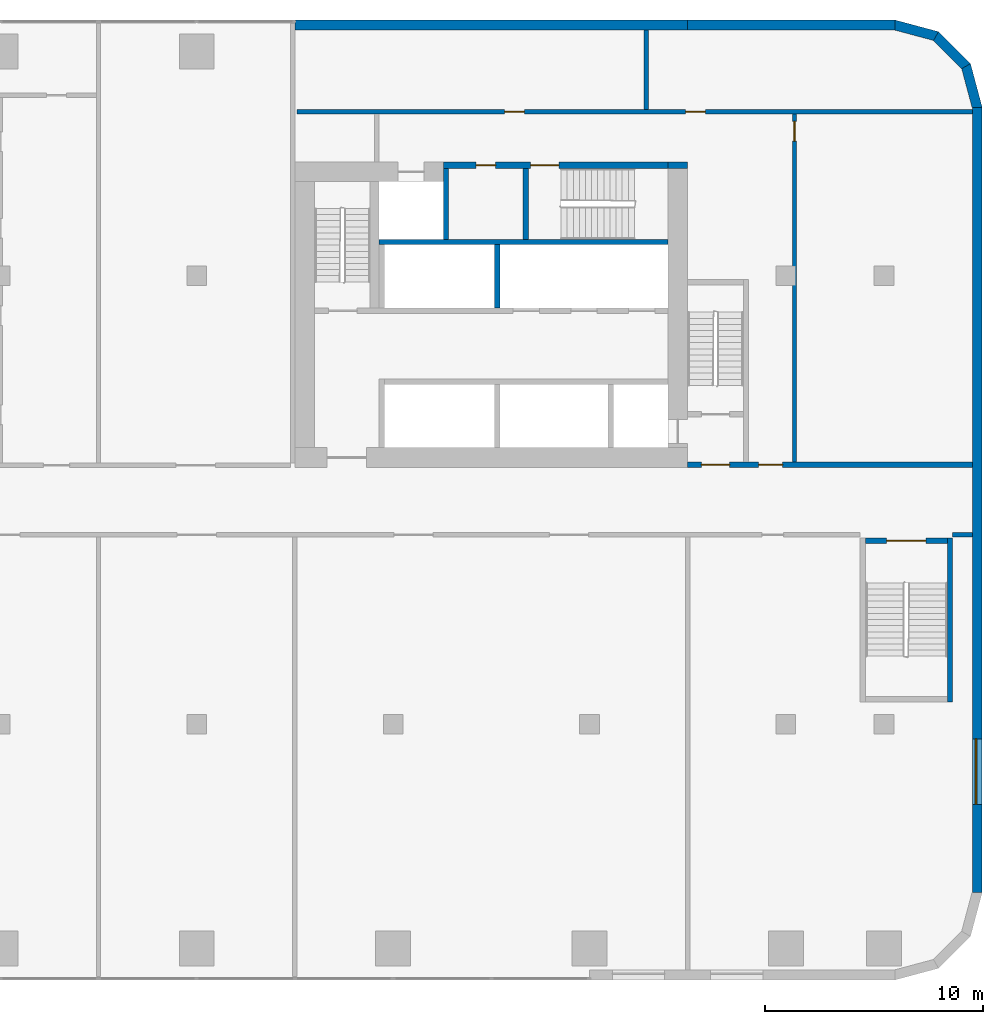
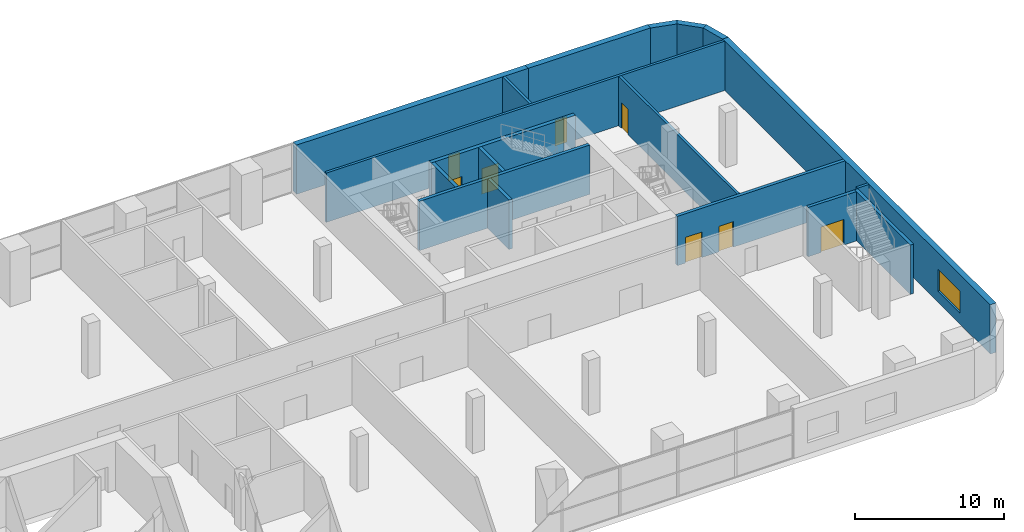
# One storey, part 11 of 19: 19 walls, 8 doors, 1 window, 9 openings.
"""IFC4 building model written with IfcOpenShell, lengths in metres."""

from ifc_helpers import new_model, si_unit, direction, frame, frame_2d, origin, place, context, subcontext, project, spatial, polyline, rectangle, outline, extrude, material, layer, layer_set, type_object, element, fill, save


model = new_model("IFC4")

# Units and contexts
model_context = context("Model", 3, precision=1e-05, world=origin(), true_north=direction((0.0, 1.0)))
body_context = subcontext(model_context, "Body", "Model", "MODEL_VIEW")
ifc_project = project(units=[si_unit("LENGTHUNIT", "METRE"), si_unit("AREAUNIT", "SQUARE_METRE"), si_unit("VOLUMEUNIT", "CUBIC_METRE"), si_unit("PLANEANGLEUNIT", "RADIAN"), si_unit("MASSUNIT", "GRAM", prefix="KILO")], contexts=[model_context])

# Site, building, storey
site_placement = place(None, origin())
site = spatial("IfcSite", under=ifc_project, at=site_placement, CompositionType="ELEMENT")
building_placement = place(site_placement, origin())
building = spatial("IfcBuilding", under=site, at=building_placement, Name="Kajstack Hotel Tower", CompositionType="ELEMENT")
storey_placement = place(building_placement, frame((0.0, 0.0, 33.5)))
storey = spatial("IfcBuildingStorey", under=building, at=storey_placement, Name="L05", CompositionType="ELEMENT", Elevation=33.5)

# Walls
ifc_material_1 = material(Name="Concrete C60/75", Category="concrete")
ifc_layer_1 = layer(ifc_material_1, 0.89990234375)
ifc_layer_set_1 = layer_set([ifc_layer_1], Name="Core wall 900")
wall_type_1 = type_object("IfcWallType", Name="Core wall 900", PredefinedType="SHEAR", material=ifc_layer_set_1)
wall_1_placement = place(storey_placement, frame((30.60009765625, 15.35009765625, 0.0), z_axis=(0.0, 0.0, 1.0), x_axis=(1.0, 0.0, 0.0)))
element("IfcWall", 1, at=wall_1_placement, inside=storey, type_object=wall_type_1, Name="Core wall E RSW", PredefinedType="SHEAR", context=body_context, shape_type="SweptSolid", body=[
    extrude(rectangle(XDim=0.89990234375, YDim=0.300048828125, at=frame_2d((0.449951171875, 0.0))), origin(), (0.0, 0.0, 1.0), 4.050048828125),
])
ifc_material_2 = material(Name="Concrete C40/50", Category="concrete")
ifc_layer_2 = layer(ifc_material_2, 0.449951171875)
ifc_layer_set_2 = layer_set([ifc_layer_2], Name="EW-CORE")
wall_type_2 = type_object("IfcWallType", Name="EW-CORE", PredefinedType="SOLIDWALL", material=ifc_layer_set_2)
wall_2_placement = place(storey_placement, frame((31.5, 21.77490234375, 0.0), z_axis=(0.0, 0.0, 1.0), x_axis=(-1.0, 0.0, 0.0)))
element("IfcWall", 2, at=wall_2_placement, inside=storey, type_object=wall_type_2, Name="E-wall-L05-11-01", PredefinedType="SOLIDWALL", context=body_context, shape_type="SweptSolid", body=[
    extrude(rectangle(XDim=18.0, YDim=0.449951171875, at=frame_2d((9.0, 0.0))), origin(), (0.0, 0.0, 1.0), 4.050048828125),
])

# Wall, opening, window
ifc_material_3 = material(Name="Terracotta-faced brick masonry", Category="masonry")
ifc_layer_3 = layer(ifc_material_3, 0.449951171875)
ifc_layer_set_3 = layer_set([ifc_layer_3], Name="EW-TERRA")
wall_type_3 = type_object("IfcWallType", Name="EW-TERRA", PredefinedType="SOLIDWALL", material=ifc_layer_set_3)
wall_3_placement = place(storey_placement, frame((44.77490234375, -18.0, 0.0), z_axis=(0.0, 0.0, 1.0), x_axis=(0.0, 1.0, 0.0)))
wall_3 = element("IfcWall", 3, at=wall_3_placement, inside=storey, type_object=wall_type_3, Name="E-wall-L05-07-00", PredefinedType="SOLIDWALL", context=body_context, shape_type="SweptSolid", body=[
    extrude(rectangle(XDim=36.0, YDim=0.449951171875, at=frame_2d((18.0, 0.0))), origin(), (0.0, 0.0, 1.0), 4.050048828125),
])
opening_1_placement = place(wall_3_placement, frame((4.050048828125, 0.0, 0.89990234375)))
opening_1 = element("IfcOpeningElement", 4, at=opening_1_placement, cuts=wall_3, Name="Opening W5", PredefinedType="OPENING", context=body_context, shape_type="SweptSolid", body=[
    extrude(rectangle(XDim=3.0, YDim=1.800048828125, at=frame_2d((1.5, 0.89990234375))), frame((0.0, 0.23486328125, 0.0), z_axis=(0.0, -1.0, 0.0), x_axis=(1.0, 0.0, 0.0)), (0.0, 0.0, 1.0), 0.469970703125),
])
ifc_material_4 = material(Name="Timber-aluminium window, triple glazed", Category="wood")
window_type = type_object("IfcWindowType", Name="WP2", PartitioningType="SINGLE_PANEL", PredefinedType="WINDOW", material=ifc_material_4)
window_placement = place(opening_1_placement, origin())
window = element("IfcWindow", 5, at=window_placement, inside=storey, type_object=window_type, Name="Window W5 L05-07", OverallHeight=1.800048828125, OverallWidth=3.0, PartitioningType="SINGLE_PANEL", PredefinedType="WINDOW", context=body_context, shape_type="SweptSolid", body=[
    extrude(rectangle(XDim=3.0, YDim=1.800048828125, at=frame_2d((1.5, 0.89990234375))), frame((0.0, 0.090087890625, 0.0), z_axis=(0.0, -1.0, 0.0), x_axis=(1.0, 0.0, 0.0)), (0.0, 0.0, 1.0), 0.06005859375),
])
fill(opening_1, window)

# Walls
wall_4_placement = place(storey_placement, frame((44.78271484375, 17.941650390625, 0.0), z_axis=(0.0, 0.0, 1.0), x_axis=(-0.25881466832, 0.965926999034, 0.0)))
element("IfcWall", 6, at=wall_4_placement, inside=storey, type_object=wall_type_3, Name="E-wall-L05-08-00", PredefinedType="SOLIDWALL", context=body_context, shape_type="SweptSolid", body=[
    extrude(outline(polyline([(0.000244140625, -0.22509765625), (2.070556640625, -0.224853515625), (1.9501953125, 0.22509765625), (0.12060546875, 0.22509765625), (0.000244140625, -0.22509765625)])), origin(), (0.0, 0.0, 1.0), 4.050048828125),
])
wall_5_placement = place(storey_placement, frame((44.304931640625, 19.8408203125, 0.0), z_axis=(0.0, 0.0, 1.0), x_axis=(-0.707106781187, 0.707106781187, 0.0)))
element("IfcWall", 7, at=wall_5_placement, inside=storey, type_object=wall_type_3, Name="E-wall-L05-09-00", PredefinedType="SOLIDWALL", context=body_context, shape_type="SweptSolid", body=[
    extrude(outline(polyline([(0.0, -0.22509765625), (2.070556640625, -0.22509765625), (1.949951171875, 0.224853515625), (0.12060546875, 0.224853515625), (0.0, -0.22509765625)])), origin(), (0.0, 0.0, 1.0), 4.050048828125),
])
wall_6_placement = place(storey_placement, frame((42.941650390625, 21.246826171875, 0.0), z_axis=(0.0, 0.0, 1.0), x_axis=(-0.965926999034, 0.25881466832, 0.0)))
element("IfcWall", 8, at=wall_6_placement, inside=storey, type_object=wall_type_3, Name="E-wall-L05-10-00", PredefinedType="SOLIDWALL", context=body_context, shape_type="SweptSolid", body=[
    extrude(outline(polyline([(-0.000244140625, -0.224853515625), (2.0703125, -0.22509765625), (1.949951171875, 0.22509765625), (0.120361328125, 0.22509765625), (-0.000244140625, -0.224853515625)])), origin(), (0.0, 0.0, 1.0), 4.050048828125),
])
wall_7_placement = place(storey_placement, frame((41.0, 21.77490234375, 0.0), z_axis=(0.0, 0.0, 1.0), x_axis=(-1.0, 0.0, 0.0)))
element("IfcWall", 9, at=wall_7_placement, inside=storey, type_object=wall_type_3, Name="E-wall-L05-11-00", PredefinedType="SOLIDWALL", context=body_context, shape_type="SweptSolid", body=[
    extrude(rectangle(XDim=9.5, YDim=0.449951171875, at=frame_2d((4.75, 0.0))), origin(), (0.0, 0.0, 1.0), 4.050048828125),
])
ifc_material_5 = material(Name="Concrete C50/60", Category="concrete")
ifc_layer_4 = layer(ifc_material_5, 0.300048828125)
ifc_layer_set_4 = layer_set([ifc_layer_4], Name="Hoistway divider wall 300")
wall_type_4 = type_object("IfcWallType", Name="Hoistway divider wall 300", PredefinedType="SHEAR", material=ifc_layer_set_4)
wall_8_placement = place(storey_placement, frame((22.77490234375, 8.800048828125, 0.0), z_axis=(0.0, 0.0, 1.0), x_axis=(0.0, 1.0, 0.0)))
element("IfcWall", 10, at=wall_8_placement, inside=storey, type_object=wall_type_4, Name="Core wall E BP2", PredefinedType="SHEAR", context=body_context, shape_type="SweptSolid", body=[
    extrude(rectangle(XDim=2.89990234375, YDim=0.25, at=frame_2d((1.449951171875, 0.0))), origin(), (0.0, 0.0, 1.0), 4.050048828125),
])
ifc_material_6 = material(Name="Gypsum board on steel studs, mineral wool", Category="steel")
ifc_layer_5 = layer(ifc_material_6, 0.199951171875)
ifc_layer_set_5 = layer_set([ifc_layer_5], Name="Public partition 200")
wall_type_5 = type_object("IfcWallType", Name="Public partition 200", PredefinedType="PARTITIONING", material=ifc_layer_set_5)
wall_9_placement = place(storey_placement, frame((43.64990234375, -1.60009765625, 0.0), z_axis=(0.0, 0.0, 1.0), x_axis=(1.0, 0.0, 0.0)))
element("IfcWall", 11, at=wall_9_placement, inside=storey, type_object=wall_type_5, Name="Partition SFWW", PredefinedType="PARTITIONING", context=body_context, shape_type="SweptSolid", body=[
    extrude(rectangle(XDim=0.900146484375, YDim=0.199951171875, at=frame_2d((0.4501953125, 0.0))), origin(), (0.0, 0.0, 1.0), 4.050048828125),
])

# Wall, openings, doors
ifc_layer_6 = layer(ifc_material_6, 0.199951171875)
ifc_layer_set_6 = layer_set([ifc_layer_6], Name="Service partition 200")
wall_type_6 = type_object("IfcWallType", Name="Service partition 200", PredefinedType="PARTITIONING", material=ifc_layer_set_6)
wall_10_placement = place(storey_placement, frame((31.5, 1.625, 0.0), z_axis=(0.0, 0.0, 1.0), x_axis=(1.0, 0.0, 0.0)))
wall_10 = element("IfcWall", 12, at=wall_10_placement, inside=storey, type_object=wall_type_6, Name="Partition E SN", PredefinedType="PARTITIONING", context=body_context, shape_type="SweptSolid", body=[
    extrude(rectangle(XDim=13.050048828125, YDim=0.25, at=frame_2d((6.52490234375, 0.0))), origin(), (0.0, 0.0, 1.0), 4.050048828125),
])
opening_2_placement = place(wall_10_placement, frame((0.625, 0.0, 0.0)))
opening_2 = element("IfcOpeningElement", 13, at=opening_2_placement, cuts=wall_10, Name="Opening 05E07", PredefinedType="OPENING", context=body_context, shape_type="SweptSolid", body=[
    extrude(rectangle(XDim=1.300048828125, YDim=2.10009765625, at=frame_2d((0.64990234375, 1.050048828125))), frame((0.0, 0.135009765625, 0.0), z_axis=(0.0, -1.0, 0.0), x_axis=(1.0, 0.0, 0.0)), (0.0, 0.0, 1.0), 0.27001953125),
])
opening_3_placement = place(wall_10_placement, frame((3.25, 0.0, 0.0)))
opening_3 = element("IfcOpeningElement", 14, at=opening_3_placement, cuts=wall_10, Name="Opening 05E09", PredefinedType="OPENING", context=body_context, shape_type="SweptSolid", body=[
    extrude(rectangle(XDim=1.10009765625, YDim=2.10009765625, at=frame_2d((0.550048828125, 1.050048828125))), frame((0.0, 0.135009765625, 0.0), z_axis=(0.0, -1.0, 0.0), x_axis=(1.0, 0.0, 0.0)), (0.0, 0.0, 1.0), 0.27001953125),
])
ifc_material_7 = material(Name="Steel leaf, fire-rated", Category="steel")
door_type_1 = type_object("IfcDoorType", Name="Fire lobby door 1300", OperationType="SINGLE_SWING_LEFT", PredefinedType="DOOR", material=ifc_material_7)
door_1_placement = place(opening_2_placement, origin())
door_1 = element("IfcDoor", 15, at=door_1_placement, inside=storey, type_object=door_type_1, Name="Door 05E07", OperationType="SINGLE_SWING_LEFT", OverallHeight=2.10009765625, OverallWidth=1.300048828125, PredefinedType="DOOR", context=body_context, shape_type="SweptSolid", body=[
    extrude(rectangle(XDim=1.300048828125, YDim=2.10009765625, at=frame_2d((0.64990234375, 1.050048828125))), frame((0.0, 0.02490234375, 0.0), z_axis=(0.0, -1.0, 0.0), x_axis=(1.0, 0.0, 0.0)), (0.0, 0.0, 1.0), 0.050048828125),
])
fill(opening_2, door_1)
ifc_material_8 = material(Name="Timber leaf, fire-rated", Category="wood")
door_type_2 = type_object("IfcDoorType", Name="Service corridor door 1100", OperationType="SINGLE_SWING_LEFT", PredefinedType="DOOR", material=ifc_material_8)
door_2_placement = place(opening_3_placement, origin())
door_2 = element("IfcDoor", 16, at=door_2_placement, inside=storey, type_object=door_type_2, Name="Door 05E09", OperationType="SINGLE_SWING_LEFT", OverallHeight=2.10009765625, OverallWidth=1.10009765625, PredefinedType="DOOR", context=body_context, shape_type="SweptSolid", body=[
    extrude(rectangle(XDim=1.10009765625, YDim=2.10009765625, at=frame_2d((0.550048828125, 1.050048828125))), frame((0.0, 0.02490234375, 0.0), z_axis=(0.0, -1.0, 0.0), x_axis=(1.0, 0.0, 0.0)), (0.0, 0.0, 1.0), 0.050048828125),
])
fill(opening_3, door_2)

# Wall, opening, door
wall_11_placement = place(storey_placement, frame((36.39990234375, 1.75, 0.0), z_axis=(0.0, 0.0, 1.0), x_axis=(0.0, 1.0, 0.0)))
wall_11 = element("IfcWall", 17, at=wall_11_placement, inside=storey, type_object=wall_type_6, Name="Partition E WRE", PredefinedType="PARTITIONING", context=body_context, shape_type="SweptSolid", body=[
    extrude(rectangle(XDim=15.949951171875, YDim=0.199951171875, at=frame_2d((7.97509765625, 0.0))), origin(), (0.0, 0.0, 1.0), 4.050048828125),
])
opening_4_placement = place(wall_11_placement, frame((14.699951171875, 0.0, 0.0)))
opening_4 = element("IfcOpeningElement", 18, at=opening_4_placement, cuts=wall_11, Name="Opening 05E15", PredefinedType="OPENING", context=body_context, shape_type="SweptSolid", body=[
    extrude(rectangle(XDim=0.89990234375, YDim=2.10009765625, at=frame_2d((0.449951171875, 1.050048828125))), frame((0.0, 0.10986328125, 0.0), z_axis=(0.0, -1.0, 0.0), x_axis=(1.0, 0.0, 0.0)), (0.0, 0.0, 1.0), 0.219970703125),
])
door_type_3 = type_object("IfcDoorType", Name="Service door 900", OperationType="SINGLE_SWING_LEFT", PredefinedType="DOOR", material=ifc_material_8)
door_3_placement = place(opening_4_placement, origin())
door_3 = element("IfcDoor", 19, at=door_3_placement, inside=storey, type_object=door_type_3, Name="Door 05E15", OperationType="SINGLE_SWING_RIGHT", OverallHeight=2.10009765625, OverallWidth=0.89990234375, PredefinedType="DOOR", context=body_context, shape_type="SweptSolid", body=[
    extrude(rectangle(XDim=0.89990234375, YDim=2.10009765625, at=frame_2d((0.449951171875, 1.050048828125))), frame((0.0, 0.02490234375, 0.0), z_axis=(0.0, -1.0, 0.0), x_axis=(1.0, 0.0, 0.0)), (0.0, 0.0, 1.0), 0.050048828125),
])
fill(opening_4, door_3)

# Wall, openings, doors
wall_12_placement = place(storey_placement, frame((13.60009765625, 17.800048828125, 0.0), z_axis=(0.0, 0.0, 1.0), x_axis=(1.0, 0.0, 0.0)))
wall_12 = element("IfcWall", 20, at=wall_12_placement, inside=storey, type_object=wall_type_6, Name="Partition E SLN", PredefinedType="PARTITIONING", context=body_context, shape_type="SweptSolid", body=[
    extrude(rectangle(XDim=30.949951171875, YDim=0.199951171875, at=frame_2d((15.47509765625, 0.0))), origin(), (0.0, 0.0, 1.0), 4.050048828125),
])
opening_5_placement = place(wall_12_placement, frame((17.8125, 0.0, 0.0)))
opening_5 = element("IfcOpeningElement", 21, at=opening_5_placement, cuts=wall_12, Name="Opening 05E13", PredefinedType="OPENING", context=body_context, shape_type="SweptSolid", body=[
    extrude(rectangle(XDim=0.89990234375, YDim=2.10009765625, at=frame_2d((0.449951171875, 1.050048828125))), frame((0.0, 0.10986328125, 0.0), z_axis=(0.0, -1.0, 0.0), x_axis=(1.0, 0.0, 0.0)), (0.0, 0.0, 1.0), 0.219970703125),
])
opening_6_placement = place(wall_12_placement, frame((9.512451171875, 0.0, 0.0)))
opening_6 = element("IfcOpeningElement", 22, at=opening_6_placement, cuts=wall_12, Name="Opening 05E14", PredefinedType="OPENING", context=body_context, shape_type="SweptSolid", body=[
    extrude(rectangle(XDim=0.89990234375, YDim=2.10009765625, at=frame_2d((0.449951171875, 1.050048828125))), frame((0.0, 0.10986328125, 0.0), z_axis=(0.0, -1.0, 0.0), x_axis=(1.0, 0.0, 0.0)), (0.0, 0.0, 1.0), 0.219970703125),
])
door_4_placement = place(opening_5_placement, origin())
door_4 = element("IfcDoor", 23, at=door_4_placement, inside=storey, type_object=door_type_3, Name="Door 05E13", OperationType="SINGLE_SWING_LEFT", OverallHeight=2.10009765625, OverallWidth=0.89990234375, PredefinedType="DOOR", context=body_context, shape_type="SweptSolid", body=[
    extrude(rectangle(XDim=0.89990234375, YDim=2.10009765625, at=frame_2d((0.449951171875, 1.050048828125))), frame((0.0, 0.02490234375, 0.0), z_axis=(0.0, -1.0, 0.0), x_axis=(1.0, 0.0, 0.0)), (0.0, 0.0, 1.0), 0.050048828125),
])
fill(opening_5, door_4)
door_5_placement = place(opening_6_placement, origin())
door_5 = element("IfcDoor", 24, at=door_5_placement, inside=storey, type_object=door_type_3, Name="Door 05E14", OperationType="SINGLE_SWING_LEFT", OverallHeight=2.10009765625, OverallWidth=0.89990234375, PredefinedType="DOOR", context=body_context, shape_type="SweptSolid", body=[
    extrude(rectangle(XDim=0.89990234375, YDim=2.10009765625, at=frame_2d((0.449951171875, 1.050048828125))), frame((0.0, 0.02490234375, 0.0), z_axis=(0.0, -1.0, 0.0), x_axis=(1.0, 0.0, 0.0)), (0.0, 0.0, 1.0), 0.050048828125),
])
fill(opening_6, door_5)

# Wall
wall_13_placement = place(storey_placement, frame((29.60009765625, 17.89990234375, 0.0), z_axis=(0.0, 0.0, 1.0), x_axis=(0.0, 1.0, 0.0)))
element("IfcWall", 25, at=wall_13_placement, inside=storey, type_object=wall_type_6, Name="Partition E SLP0", PredefinedType="PARTITIONING", context=body_context, shape_type="SweptSolid", body=[
    extrude(rectangle(XDim=3.650146484375, YDim=0.199951171875, at=frame_2d((1.8251953125, 0.0))), origin(), (0.0, 0.0, 1.0), 4.050048828125),
])

# Wall, openings, doors
ifc_layer_7 = layer(ifc_material_5, 0.25)
ifc_layer_set_7 = layer_set([ifc_layer_7], Name="Shaft wall 250")
wall_type_7 = type_object("IfcWallType", Name="Shaft wall 250", PredefinedType="SHEAR", material=ifc_layer_set_7)
wall_14_placement = place(storey_placement, frame((20.300048828125, 15.35009765625, 0.0), z_axis=(0.0, 0.0, 1.0), x_axis=(1.0, 0.0, 0.0)))
wall_14 = element("IfcWall", 26, at=wall_14_placement, inside=storey, type_object=wall_type_7, Name="Core wall E RSS", PredefinedType="SHEAR", context=body_context, shape_type="SweptSolid", body=[
    extrude(rectangle(XDim=10.300048828125, YDim=0.300048828125, at=frame_2d((5.14990234375, 0.0))), origin(), (0.0, 0.0, 1.0), 4.050048828125),
])
opening_7_placement = place(wall_14_placement, frame((4.0, 0.0, 0.0)))
opening_7 = element("IfcOpeningElement", 27, at=opening_7_placement, cuts=wall_14, Name="Opening 05E11", PredefinedType="OPENING", context=body_context, shape_type="SweptSolid", body=[
    extrude(rectangle(XDim=1.300048828125, YDim=2.10009765625, at=frame_2d((0.64990234375, 1.050048828125))), frame((0.0, 0.159912109375, 0.0), z_axis=(0.0, -1.0, 0.0), x_axis=(1.0, 0.0, 0.0)), (0.0, 0.0, 1.0), 0.320068359375),
])
opening_8_placement = place(wall_14_placement, frame((1.5, 0.0, 0.0)))
opening_8 = element("IfcOpeningElement", 28, at=opening_8_placement, cuts=wall_14, Name="Opening 05E12", PredefinedType="OPENING", context=body_context, shape_type="SweptSolid", body=[
    extrude(rectangle(XDim=0.89990234375, YDim=2.10009765625, at=frame_2d((0.449951171875, 1.050048828125))), frame((0.0, 0.159912109375, 0.0), z_axis=(0.0, -1.0, 0.0), x_axis=(1.0, 0.0, 0.0)), (0.0, 0.0, 1.0), 0.320068359375),
])
door_6_placement = place(opening_8_placement, origin())
door_6 = element("IfcDoor", 29, at=door_6_placement, inside=storey, type_object=door_type_3, Name="Door 05E12", OperationType="SINGLE_SWING_RIGHT", OverallHeight=2.10009765625, OverallWidth=0.89990234375, PredefinedType="DOOR", context=body_context, shape_type="SweptSolid", body=[
    extrude(rectangle(XDim=0.89990234375, YDim=2.10009765625, at=frame_2d((0.449951171875, 1.050048828125))), frame((0.0, 0.02490234375, 0.0), z_axis=(0.0, -1.0, 0.0), x_axis=(1.0, 0.0, 0.0)), (0.0, 0.0, 1.0), 0.050048828125),
])
fill(opening_8, door_6)
door_type_4 = type_object("IfcDoorType", Name="Stair door 1300", OperationType="SINGLE_SWING_LEFT", PredefinedType="DOOR", material=ifc_material_7)
door_7_placement = place(opening_7_placement, origin())
door_7 = element("IfcDoor", 30, at=door_7_placement, inside=storey, type_object=door_type_4, Name="Door 05E11", OperationType="SINGLE_SWING_LEFT", OverallHeight=2.10009765625, OverallWidth=1.300048828125, PredefinedType="DOOR", context=body_context, shape_type="SweptSolid", body=[
    extrude(rectangle(XDim=1.300048828125, YDim=2.10009765625, at=frame_2d((0.64990234375, 1.050048828125))), frame((0.0, 0.02490234375, 0.0), z_axis=(0.0, -1.0, 0.0), x_axis=(1.0, 0.0, 0.0)), (0.0, 0.0, 1.0), 0.050048828125),
])
fill(opening_7, door_7)

# Walls
wall_15_placement = place(storey_placement, frame((17.35009765625, 11.824951171875, 0.0), z_axis=(0.0, 0.0, 1.0), x_axis=(1.0, 0.0, 0.0)))
element("IfcWall", 31, at=wall_15_placement, inside=storey, type_object=wall_type_7, Name="Core wall E RB", PredefinedType="SHEAR", context=body_context, shape_type="SweptSolid", body=[
    extrude(rectangle(XDim=13.25, YDim=0.25, at=frame_2d((6.625, 0.0))), origin(), (0.0, 0.0, 1.0), 4.050048828125),
])
wall_16_placement = place(storey_placement, frame((20.425048828125, 11.949951171875, 0.0), z_axis=(0.0, 0.0, 1.0), x_axis=(0.0, 1.0, 0.0)))
element("IfcWall", 32, at=wall_16_placement, inside=storey, type_object=wall_type_7, Name="Core wall E SVW", PredefinedType="SHEAR", context=body_context, shape_type="SweptSolid", body=[
    extrude(rectangle(XDim=3.25, YDim=0.25, at=frame_2d((1.625, 0.0))), origin(), (0.0, 0.0, 1.0), 4.050048828125),
])
ifc_layer_8 = layer(ifc_material_2, 0.25)
ifc_layer_set_8 = layer_set([ifc_layer_8], Name="Stair enclosure wall 250")
wall_type_8 = type_object("IfcWallType", Name="Stair enclosure wall 250", PredefinedType="SHEAR", material=ifc_layer_set_8)
wall_17_placement = place(storey_placement, frame((43.52490234375, -9.25, 0.0), z_axis=(0.0, 0.0, 1.0), x_axis=(0.0, 1.0, 0.0)))
element("IfcWall", 33, at=wall_17_placement, inside=storey, type_object=wall_type_8, Name="Stair wall P2 E", PredefinedType="SHEAR", context=body_context, shape_type="SweptSolid", body=[
    extrude(rectangle(XDim=7.5, YDim=0.25, at=frame_2d((3.75, 0.0))), origin(), (0.0, 0.0, 1.0), 4.050048828125),
])

# Wall, opening, door
wall_18_placement = place(storey_placement, frame((39.64990234375, -1.875, 0.0), z_axis=(0.0, 0.0, 1.0), x_axis=(1.0, 0.0, 0.0)))
wall_18 = element("IfcWall", 34, at=wall_18_placement, inside=storey, type_object=wall_type_8, Name="Stair wall P2 N", PredefinedType="SHEAR", context=body_context, shape_type="SweptSolid", body=[
    extrude(rectangle(XDim=3.75, YDim=0.25, at=frame_2d((1.875, 0.0))), origin(), (0.0, 0.0, 1.0), 4.050048828125),
])
opening_9_placement = place(wall_18_placement, frame((0.97509765625, 0.0, 0.0)))
opening_9 = element("IfcOpeningElement", 35, at=opening_9_placement, cuts=wall_18, Name="Opening 05P2", PredefinedType="OPENING", context=body_context, shape_type="SweptSolid", body=[
    extrude(rectangle(XDim=1.800048828125, YDim=2.10009765625, at=frame_2d((0.89990234375, 1.050048828125))), frame((0.0, 0.135009765625, 0.0), z_axis=(0.0, -1.0, 0.0), x_axis=(1.0, 0.0, 0.0)), (0.0, 0.0, 1.0), 0.27001953125),
])
door_type_5 = type_object("IfcDoorType", Name="Stair door 1800", OperationType="DOUBLE_DOOR_DOUBLE_SWING", PredefinedType="DOOR", material=ifc_material_7)
door_8_placement = place(opening_9_placement, origin())
door_8 = element("IfcDoor", 36, at=door_8_placement, inside=storey, type_object=door_type_5, Name="Door 05P2", OperationType="DOUBLE_DOOR_DOUBLE_SWING", OverallHeight=2.10009765625, OverallWidth=1.800048828125, PredefinedType="DOOR", context=body_context, shape_type="SweptSolid", body=[
    extrude(rectangle(XDim=1.800048828125, YDim=2.10009765625, at=frame_2d((0.89990234375, 1.050048828125))), frame((0.0, 0.02490234375, 0.0), z_axis=(0.0, -1.0, 0.0), x_axis=(1.0, 0.0, 0.0)), (0.0, 0.0, 1.0), 0.050048828125),
])
fill(opening_9, door_8)

# Wall
ifc_layer_9 = layer(ifc_material_5, 0.35009765625)
ifc_layer_set_9 = layer_set([ifc_layer_9], Name="Stair enclosure wall 350")
wall_type_9 = type_object("IfcWallType", Name="Stair enclosure wall 350", PredefinedType="SHEAR", material=ifc_layer_set_9)
wall_19_placement = place(storey_placement, frame((24.074951171875, 11.949951171875, 0.0), z_axis=(0.0, 0.0, 1.0), x_axis=(0.0, 1.0, 0.0)))
element("IfcWall", 37, at=wall_19_placement, inside=storey, type_object=wall_type_9, Name="Core wall E W3E", PredefinedType="SHEAR", context=body_context, shape_type="SweptSolid", body=[
    extrude(rectangle(XDim=3.25, YDim=0.25, at=frame_2d((1.625, 0.0))), origin(), (0.0, 0.0, 1.0), 4.050048828125),
])

save(model, "model.ifc")
